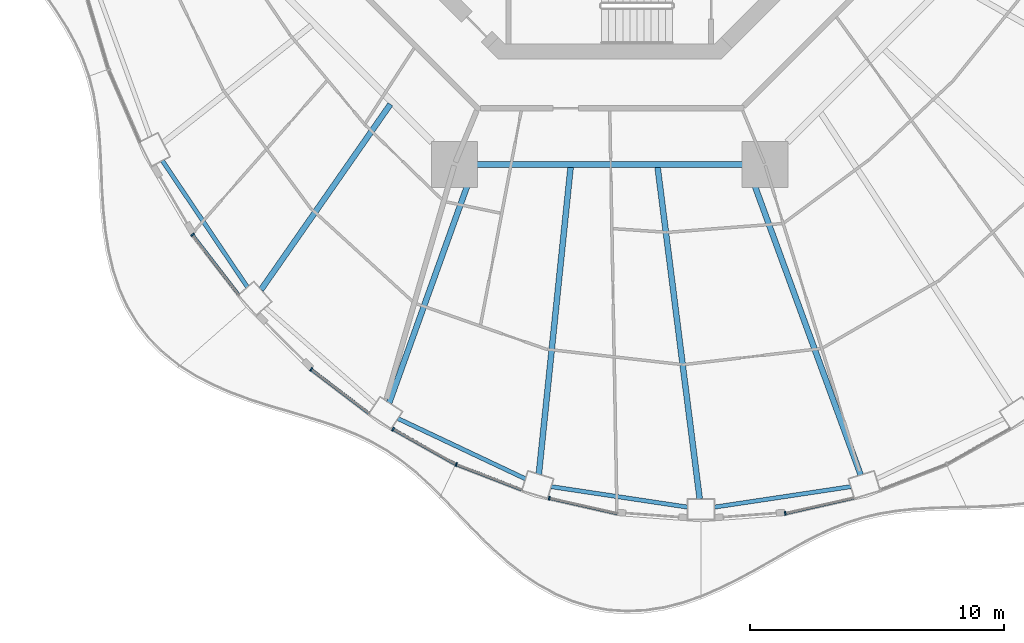
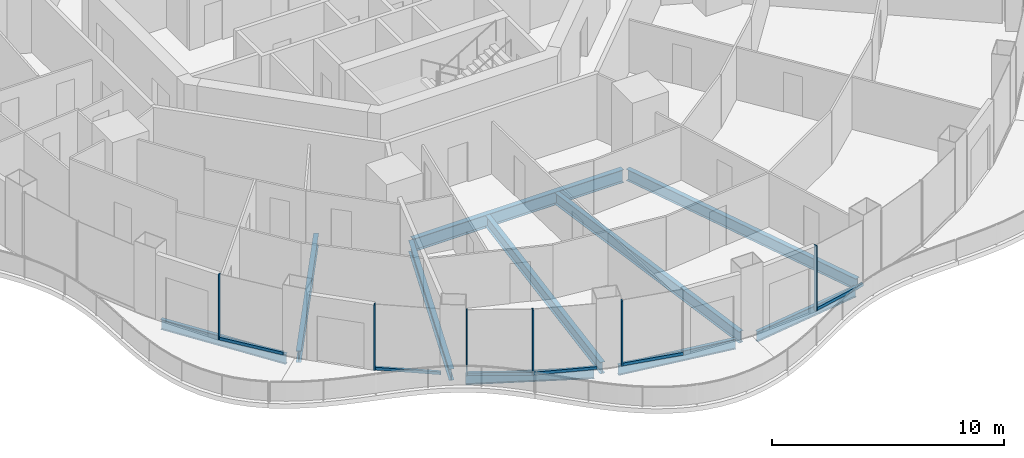
# One storey, part 2 of 19: 12 members, 10 beams, 6 elements without a shape of their own.
"""IFC4 building model written with IfcOpenShell, lengths in metres."""

from ifc_helpers import new_model, si_unit, direction, frame, origin, origin_2d, place, context, subcontext, project, spatial, rectangle, i_section, extrude, material, layer, layer_set, material_profile, profile_set, type_object, element, aggregate, save


model = new_model("IFC4")

# Units and contexts
model_context = context("Model", 3, precision=1e-05, world=origin(), true_north=direction((0.0, 1.0)))
body_context = subcontext(model_context, "Body", "Model", "MODEL_VIEW")
ifc_project = project(units=[si_unit("LENGTHUNIT", "METRE"), si_unit("AREAUNIT", "SQUARE_METRE"), si_unit("VOLUMEUNIT", "CUBIC_METRE"), si_unit("PLANEANGLEUNIT", "RADIAN"), si_unit("MASSUNIT", "GRAM", prefix="KILO")], contexts=[model_context])

# Site, building, storey
site_placement = place(None, origin())
site = spatial("IfcSite", under=ifc_project, at=site_placement, CompositionType="ELEMENT")
building_placement = place(site_placement, origin())
building = spatial("IfcBuilding", under=site, at=building_placement, Name="Nagisa Residences", CompositionType="ELEMENT")
storey_placement = place(building_placement, frame((0.0, 0.0, 173.300048828125)))
storey = spatial("IfcBuildingStorey", under=building, at=storey_placement, Name="L43", CompositionType="ELEMENT", Elevation=173.300048828125)

# Curtain wall, member
ifc_material_1 = material(Name="Concrete-coloured aluminium curtain wall system", Category="concrete")
ifc_layer = layer(ifc_material_1, 0.159912109375)
ifc_layer_set = layer_set([ifc_layer], Name="CW1 CURTAIN WALL")
curtain_wall_type = type_object("IfcCurtainWallType", Name="CW1 CURTAIN WALL", PredefinedType="NOTDEFINED", material=ifc_layer_set)
curtain_wall_1_placement = place(storey_placement, origin())
curtain_wall_1 = element("IfcCurtainWall", 1, at=curtain_wall_1_placement, inside=storey, type_object=curtain_wall_type, Name="cw:CW1:L43:29", PredefinedType="NOTDEFINED")
ifc_material_2 = material(Name="Concrete-coloured aluminium", Category="concrete")
ifc_material_profile_1 = material_profile(ifc_material_2, rectangle(XDim=0.159912109375, YDim=0.06005859375, at=origin_2d()), Name="CW1 MULLION 160x60")
ifc_profile_set_1 = profile_set([ifc_material_profile_1], Name="Concrete-coloured aluminium")
member_type_1 = type_object("IfcMemberType", Name="CW1 MULLION 160x60", PredefinedType="MULLION", material=ifc_profile_set_1)
member_1_placement = place(storey_placement, frame((-16.44970703125, -17.552978515625, 0.0), z_axis=(0.0, 0.0, 1.0), x_axis=(0.792070340816, 0.610429828235, 0.0)))
member_1 = element("IfcMember", 2, at=member_1_placement, type_object=member_type_1, Name="CW1 mullion", PredefinedType="MULLION", context=body_context, shape_type="SweptSolid", body=[
    extrude(rectangle(XDim=0.159912109375, YDim=0.06005859375, at=origin_2d()), origin(), (0.0, 0.0, 1.0), 3.43994140625),
])

curtain_wall_2_placement = place(storey_placement, origin())
curtain_wall_2 = element("IfcCurtainWall", 3, at=curtain_wall_2_placement, inside=storey, type_object=curtain_wall_type, Name="cw:CW1:L43:31", PredefinedType="NOTDEFINED")
member_2_placement = place(storey_placement, frame((-11.77490234375, -22.862548828125, 0.0), z_axis=(0.0, 0.0, 1.0), x_axis=(0.605255421737, 0.79603132756, 0.0)))
member_2 = element("IfcMember", 4, at=member_2_placement, type_object=member_type_1, Name="CW1 mullion", PredefinedType="MULLION", context=body_context, shape_type="SweptSolid", body=[
    extrude(rectangle(XDim=0.159912109375, YDim=0.06005859375, at=origin_2d()), origin(), (0.0, 0.0, 1.0), 3.43994140625),
])

curtain_wall_3_placement = place(storey_placement, origin())
curtain_wall_3 = element("IfcCurtainWall", 5, at=curtain_wall_3_placement, inside=storey, type_object=curtain_wall_type, Name="cw:CW1:L43:32", PredefinedType="NOTDEFINED")
member_3_placement = place(storey_placement, frame((-8.54248046875, -25.220458984375, 0.0), z_axis=(0.0, 0.0, 1.0), x_axis=(0.489376918501, 0.872072377523, 0.0)))
member_3 = element("IfcMember", 6, at=member_3_placement, type_object=member_type_1, Name="CW1 mullion", PredefinedType="MULLION", context=body_context, shape_type="SweptSolid", body=[
    extrude(rectangle(XDim=0.159912109375, YDim=0.06005859375, at=origin_2d()), origin(), (0.0, 0.0, 1.0), 3.43994140625),
])

curtain_wall_4_placement = place(storey_placement, origin())
curtain_wall_4 = element("IfcCurtainWall", 7, at=curtain_wall_4_placement, inside=storey, type_object=curtain_wall_type, Name="cw:CW1:L43:33", PredefinedType="NOTDEFINED")
member_4_placement = place(storey_placement, frame((-6.0537109375, -26.61328125, 0.0), z_axis=(0.0, 0.0, 1.0), x_axis=(0.360327770268, 0.932825759707, 0.0)))
member_4 = element("IfcMember", 8, at=member_4_placement, type_object=member_type_1, Name="CW1 mullion", PredefinedType="MULLION", context=body_context, shape_type="SweptSolid", body=[
    extrude(rectangle(XDim=0.159912109375, YDim=0.06005859375, at=origin_2d()), origin(), (0.0, 0.0, 1.0), 3.43994140625),
])

curtain_wall_5_placement = place(storey_placement, origin())
curtain_wall_5 = element("IfcCurtainWall", 9, at=curtain_wall_5_placement, inside=storey, type_object=curtain_wall_type, Name="cw:CW1:L43:34", PredefinedType="NOTDEFINED")
member_5_placement = place(storey_placement, frame((-2.38427734375, -27.941162109375, 0.0), z_axis=(0.0, 0.0, 1.0), x_axis=(0.2207639201, 0.975327274089, 0.0)))
member_5 = element("IfcMember", 10, at=member_5_placement, type_object=member_type_1, Name="CW1 mullion", PredefinedType="MULLION", context=body_context, shape_type="SweptSolid", body=[
    extrude(rectangle(XDim=0.159912109375, YDim=0.06005859375, at=origin_2d()), origin(), (0.0, 0.0, 1.0), 3.43994140625),
])

curtain_wall_6_placement = place(storey_placement, origin())
curtain_wall_6 = element("IfcCurtainWall", 11, at=curtain_wall_6_placement, inside=storey, type_object=curtain_wall_type, Name="cw:CW1:L43:37", PredefinedType="NOTDEFINED")
member_6_placement = place(storey_placement, frame((6.923583984375, -28.543212890625, 0.0), z_axis=(0.0, 0.0, 1.0), x_axis=(-0.2207639201, 0.975327274089, 0.0)))
member_6 = element("IfcMember", 12, at=member_6_placement, type_object=member_type_1, Name="CW1 mullion", PredefinedType="MULLION", context=body_context, shape_type="SweptSolid", body=[
    extrude(rectangle(XDim=0.159912109375, YDim=0.06005859375, at=origin_2d()), origin(), (0.0, 0.0, 1.0), 3.43994140625),
])

# Member
ifc_material_3 = material(Name="Concrete-coloured aluminium", Category="concrete")
ifc_material_profile_2 = material_profile(ifc_material_3, rectangle(XDim=0.1201171875, YDim=0.14990234375, at=origin_2d()), Name="CW1 TRANSOM 120x150")
ifc_profile_set_2 = profile_set([ifc_material_profile_2], Name="Concrete-coloured aluminium")
member_type_2 = type_object("IfcMemberType", Name="CW1 TRANSOM 120x150", PredefinedType="USERDEFINED", material=ifc_profile_set_2)
member_7_placement = place(storey_placement, frame((-16.468017578125, -17.529052734375, 0.074951171875), z_axis=(0.610398538814, -0.792094453846, 0.0), x_axis=(0.792094453846, 0.610398538814, 0.0)))
member_7 = element("IfcMember", 13, at=member_7_placement, type_object=member_type_2, Name="CW1 transom", ObjectType="TRANSOM", PredefinedType="USERDEFINED", context=body_context, shape_type="SweptSolid", body=[
    extrude(rectangle(XDim=0.1201171875, YDim=0.14990234375, at=origin_2d()), origin(), (0.0, 0.0, 1.0), 3.035400390625),
])

aggregate(curtain_wall_1, [member_1, member_7])

member_8_placement = place(storey_placement, frame((-11.798828125, -22.844482421875, 0.074951171875), z_axis=(0.796055733703, -0.60522332146, 0.0), x_axis=(0.60522332146, 0.796055733703, 0.0)))
member_8 = element("IfcMember", 14, at=member_8_placement, type_object=member_type_2, Name="CW1 transom", ObjectType="TRANSOM", PredefinedType="USERDEFINED", context=body_context, shape_type="SweptSolid", body=[
    extrude(rectangle(XDim=0.1201171875, YDim=0.14990234375, at=origin_2d()), origin(), (0.0, 0.0, 1.0), 2.9169921875),
])

aggregate(curtain_wall_2, [member_2, member_8])

member_9_placement = place(storey_placement, frame((-8.568603515625, -25.205810546875, 0.074951171875), z_axis=(0.872057843239, -0.489402817774, 0.0), x_axis=(0.489402817774, 0.872057843239, 0.0)))
member_9 = element("IfcMember", 15, at=member_9_placement, type_object=member_type_2, Name="CW1 transom", ObjectType="TRANSOM", PredefinedType="USERDEFINED", context=body_context, shape_type="SweptSolid", body=[
    extrude(rectangle(XDim=0.1201171875, YDim=0.14990234375, at=origin_2d()), origin(), (0.0, 0.0, 1.0), 2.863525390625),
])

aggregate(curtain_wall_3, [member_3, member_9])

member_10_placement = place(storey_placement, frame((-6.081787109375, -26.602294921875, 0.074951171875), z_axis=(0.932806734513, -0.360377019311, 0.0), x_axis=(0.360377019311, 0.932806734513, 0.0)))
member_10 = element("IfcMember", 16, at=member_10_placement, type_object=member_type_2, Name="CW1 transom", ObjectType="TRANSOM", PredefinedType="USERDEFINED", context=body_context, shape_type="SweptSolid", body=[
    extrude(rectangle(XDim=0.1201171875, YDim=0.14990234375, at=origin_2d()), origin(), (0.0, 0.0, 1.0), 2.819580078125),
])

aggregate(curtain_wall_4, [member_4, member_10])

member_11_placement = place(storey_placement, frame((-2.413330078125, -27.9345703125, 0.074951171875), z_axis=(0.975324329911, -0.220776926974, 0.0), x_axis=(0.220776926974, 0.975324329911, 0.0)))
member_11 = element("IfcMember", 17, at=member_11_placement, type_object=member_type_2, Name="CW1 transom", ObjectType="TRANSOM", PredefinedType="USERDEFINED", context=body_context, shape_type="SweptSolid", body=[
    extrude(rectangle(XDim=0.1201171875, YDim=0.14990234375, at=origin_2d()), origin(), (0.0, 0.0, 1.0), 2.787841796875),
])

aggregate(curtain_wall_5, [member_5, member_11])

member_12_placement = place(storey_placement, frame((6.89453125, -28.550048828125, 0.074951171875), z_axis=(0.975324329911, 0.220776926974, 0.0), x_axis=(-0.220776926974, 0.975324329911, 0.0)))
member_12 = element("IfcMember", 18, at=member_12_placement, type_object=member_type_2, Name="CW1 transom", ObjectType="TRANSOM", PredefinedType="USERDEFINED", context=body_context, shape_type="SweptSolid", body=[
    extrude(rectangle(XDim=0.1201171875, YDim=0.14990234375, at=origin_2d()), origin(), (0.0, 0.0, 1.0), 2.787841796875),
])

aggregate(curtain_wall_6, [member_6, member_12])

# Beams
ifc_material_4 = material(Name="Steel ASTM A572 Gr 50", Category="steel")
ifc_material_profile_3 = material_profile(ifc_material_4, i_section(OverallWidth=0.25390625, OverallDepth=0.68408203125, WebThickness=0.012451171875, FlangeThickness=0.018798828125, at=origin_2d()), Name="W690x140")
ifc_profile_set_3 = profile_set([ifc_material_profile_3], Name="Steel ASTM A572 Gr 50")
beam_type_1 = type_object("IfcBeamType", Name="Inner ring beam W690x140", PredefinedType="BEAM", material=ifc_profile_set_3)
beam_1_placement = place(storey_placement, frame((-5.242919921875, -14.781982421875, -0.60205078125), z_axis=(1.0, 0.0, 0.0), x_axis=(0.0, 1.0, 0.0)))
element("IfcBeam", 19, at=beam_1_placement, inside=storey, type_object=beam_type_1, Name="beam:L43:ib6", PredefinedType="BEAM", context=body_context, shape_type="SweptSolid", body=[
    extrude(i_section(OverallWidth=0.25390625, OverallDepth=0.68408203125, WebThickness=0.012451171875, FlangeThickness=0.018798828125, at=origin_2d()), origin(), (0.0, 0.0, 1.0), 10.48583984375),
])
ifc_material_5 = material(Name="Steel ASTM A572 Gr 50", Category="steel")
ifc_material_profile_4 = material_profile(ifc_material_5, i_section(OverallWidth=0.166015625, OverallDepth=0.534912109375, WebThickness=0.01025390625, FlangeThickness=0.0166015625, at=origin_2d()), Name="W530x85")
ifc_profile_set_4 = profile_set([ifc_material_profile_4], Name="Steel ASTM A572 Gr 50")
beam_type_2 = type_object("IfcBeamType", Name="Perimeter ring beam W530x85", PredefinedType="BEAM", material=ifc_profile_set_4)
beam_2_placement = place(storey_placement, frame((-17.644287109375, -14.630615234375, -0.527587890625), z_axis=(0.558152301307, -0.829738518177, 0.0), x_axis=(0.829738518177, 0.558152301307, 0.0)))
element("IfcBeam", 20, at=beam_2_placement, inside=storey, type_object=beam_type_2, Name="beam:L43:pb15", PredefinedType="BEAM", context=body_context, shape_type="SweptSolid", body=[
    extrude(i_section(OverallWidth=0.166015625, OverallDepth=0.534912109375, WebThickness=0.01025390625, FlangeThickness=0.0166015625, at=origin_2d()), origin(), (0.0, 0.0, 1.0), 6.013916015625),
])
beam_3_placement = place(storey_placement, frame((-8.353515625, -24.80224609375, -0.527587890625), z_axis=(0.904157325884, -0.427199637232, 0.0), x_axis=(0.427199637232, 0.904157325884, 0.0)))
element("IfcBeam", 21, at=beam_3_placement, inside=storey, type_object=beam_type_2, Name="beam:L43:pb17", PredefinedType="BEAM", context=body_context, shape_type="SweptSolid", body=[
    extrude(i_section(OverallWidth=0.166015625, OverallDepth=0.534912109375, WebThickness=0.01025390625, FlangeThickness=0.0166015625, at=origin_2d()), origin(), (0.0, 0.0, 1.0), 5.56396484375),
])
for number, where, z_axis, x_axis, name in (
    (22, (-2.30810546875, -27.48779296875, -0.527587890625), (0.988911312658, -0.148507291732, 0.0), (0.148507291732, 0.988911312658, 0.0), "beam:L43:pb18"),
    (23, (4.130126953125, -28.29541015625, -0.527587890625), (0.988911312658, 0.148507291732, 0.0), (-0.148507291732, 0.988911312658, 0.0), "beam:L43:pb19"),
):
    element("IfcBeam", number, at=place(storey_placement, frame(where, z_axis=z_axis, x_axis=x_axis)), inside=storey, type_object=beam_type_2, Name=name, PredefinedType="BEAM", context=body_context, shape_type="SweptSolid", body=[
        extrude(i_section(OverallWidth=0.166015625, OverallDepth=0.534912109375, WebThickness=0.01025390625, FlangeThickness=0.0166015625, at=origin_2d()), origin(), (0.0, 0.0, 1.0), 5.438232421875),
    ])
ifc_material_6 = material(Name="Steel ASTM A572 Gr 50", Category="steel")
ifc_material_profile_5 = material_profile(ifc_material_6, i_section(OverallWidth=0.22802734375, OverallDepth=0.60302734375, WebThickness=0.010498046875, FlangeThickness=0.014892578125, at=origin_2d()), Name="W610x101")
ifc_profile_set_5 = profile_set([ifc_material_profile_5], Name="Steel ASTM A572 Gr 50")
beam_type_3 = type_object("IfcBeamType", Name="Radial beam W610x101", PredefinedType="BEAM", material=ifc_profile_set_5)
beam_4_placement = place(storey_placement, frame((-13.75048828125, -19.7216796875, -0.5615234375), z_axis=(0.571934479253, 0.82029930601, 0.0), x_axis=(-0.82029930601, 0.571934479253, 0.0)))
element("IfcBeam", 24, at=beam_4_placement, inside=storey, type_object=beam_type_3, Name="beam:L43:rb16", PredefinedType="BEAM", context=body_context, shape_type="SweptSolid", body=[
    extrude(i_section(OverallWidth=0.22802734375, OverallDepth=0.60302734375, WebThickness=0.010498046875, FlangeThickness=0.014892578125, at=origin_2d()), origin(), (0.0, 0.0, 1.0), 8.917724609375),
])
beam_5_placement = place(storey_placement, frame((-8.6962890625, -24.180908203125, -0.5615234375), z_axis=(0.338417364879, 0.940996114311, 0.0), x_axis=(-0.940996114311, 0.338417364879, 0.0)))
element("IfcBeam", 25, at=beam_5_placement, inside=storey, type_object=beam_type_3, Name="beam:L43:rb17", PredefinedType="BEAM", context=body_context, shape_type="SweptSolid", body=[
    extrude(i_section(OverallWidth=0.22802734375, OverallDepth=0.60302734375, WebThickness=0.010498046875, FlangeThickness=0.014892578125, at=origin_2d()), origin(), (0.0, 0.0, 1.0), 9.873291015625),
])
beam_6_placement = place(storey_placement, frame((-2.795654296875, -26.997314453125, -0.5615234375), z_axis=(0.103007948723, 0.994680532885, 0.0), x_axis=(-0.994680532885, 0.103007948723, 0.0)))
element("IfcBeam", 26, at=beam_6_placement, inside=storey, type_object=beam_type_3, Name="beam:L43:rb18", PredefinedType="BEAM", context=body_context, shape_type="SweptSolid", body=[
    extrude(i_section(OverallWidth=0.22802734375, OverallDepth=0.60302734375, WebThickness=0.010498046875, FlangeThickness=0.014892578125, at=origin_2d()), origin(), (0.0, 0.0, 1.0), 12.1728515625),
])
beam_7_placement = place(storey_placement, frame((3.548583984375, -27.9697265625, -0.5615234375), z_axis=(-0.125871302495, 0.992046579153, 0.0), x_axis=(-0.992046579153, -0.125871302495, 0.0)))
element("IfcBeam", 27, at=beam_7_placement, inside=storey, type_object=beam_type_3, Name="beam:L43:rb19", PredefinedType="BEAM", context=body_context, shape_type="SweptSolid", body=[
    extrude(i_section(OverallWidth=0.22802734375, OverallDepth=0.60302734375, WebThickness=0.010498046875, FlangeThickness=0.014892578125, at=origin_2d()), origin(), (0.0, 0.0, 1.0), 13.185546875),
])
beam_8_placement = place(storey_placement, frame((9.898681640625, -27.02734375, -0.5615234375), z_axis=(-0.343903309659, 0.939005065804, 0.0), x_axis=(-0.939005065804, -0.343903309659, 0.0)))
element("IfcBeam", 28, at=beam_8_placement, inside=storey, type_object=beam_type_3, Name="beam:L43:rb20", PredefinedType="BEAM", context=body_context, shape_type="SweptSolid", body=[
    extrude(i_section(OverallWidth=0.22802734375, OverallDepth=0.60302734375, WebThickness=0.010498046875, FlangeThickness=0.014892578125, at=origin_2d()), origin(), (0.0, 0.0, 1.0), 12.92529296875),
])

save(model, "model.ifc")
